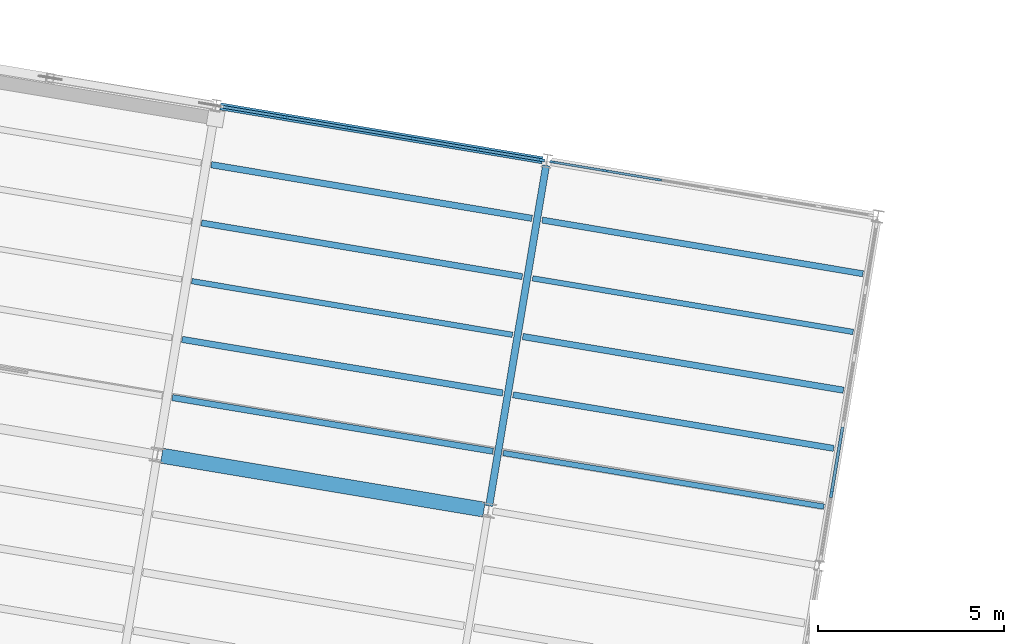
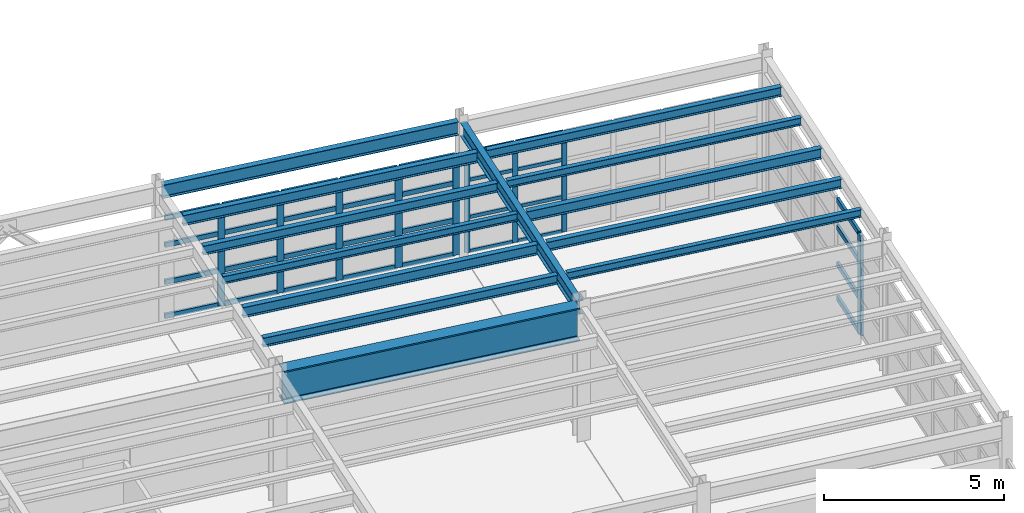
# One storey, part 44 of 102: 41 members, 13 beams, 3 elements without a shape of their own.
"""IFC4 building model written with IfcOpenShell, lengths in metres."""

import ifcopenshell
import ifcopenshell.guid

model = None  # the IFC model being written
_history = None  # IfcOwnerHistory: only IFC2X3 demands one
_inside = {}  # id of a spatial element -> (the spatial element, [elements in it])
_under = {}  # id of a project, library or spatial element -> (it, [spatial elements below it])
_declared = {}  # id of a project -> (the project, [libraries it declares])
_typed = {}  # id of a type object -> (the type object, [elements of that type])
_made_of = {}  # id of a material, layer set ... -> (it, [elements and type objects made of it])


def new_model(schema):
    """Start an empty IFC model of exactly this schema.

    Asked for "IFC4X3", IfcOpenShell would pick the latest addendum, in which some entities
    have other attributes; the version numbers below select the first issue.
    IFC2X3 requires an IfcOwnerHistory on every rooted entity: one is made here for all.
    """
    global model, _history
    if schema == "IFC4X3":
        model = ifcopenshell.file(schema_version=(4, 3, 0, 0))
    else:
        model = ifcopenshell.file(schema=schema)
    _inside.clear()
    _under.clear()
    _declared.clear()
    _typed.clear()
    _made_of.clear()
    _history = None
    if model.schema == "IFC2X3":
        org = make("IfcOrganization", Name="unknown")
        user = make(
            "IfcPersonAndOrganization",
            ThePerson=make("IfcPerson", FamilyName="unknown"),
            TheOrganization=org,
        )
        app = make(
            "IfcApplication",
            ApplicationDeveloper=org,
            Version="unknown",
            ApplicationFullName="unknown",
            ApplicationIdentifier="unknown",
        )
        _history = make(
            "IfcOwnerHistory",
            OwningUser=user,
            OwningApplication=app,
            ChangeAction="ADDED",
            CreationDate=0,
        )
    return model


def make(cls, **values):
    """One entity of the class cls with the attributes given. An attribute that is None is left unset."""
    return model.create_entity(
        cls, **{name: value for name, value in values.items() if value is not None}
    )


def rooted(cls, **values):
    """An entity with a GlobalId (a new one), such as an element, a storey or a relation."""
    return make(cls, GlobalId=ifcopenshell.guid.new(), OwnerHistory=_history, **values)


def si_unit(unit_type, name, prefix=None):
    """IfcSIUnit, for example si_unit("LENGTHUNIT", "METRE", prefix="MILLI")."""
    return make("IfcSIUnit", UnitType=unit_type, Prefix=prefix, Name=name)


def assignment(units):
    """IfcUnitAssignment: the units of a project."""
    return None if units is None else make("IfcUnitAssignment", Units=units)


def point(xyz):
    """IfcCartesianPoint."""
    return None if xyz is None else make("IfcCartesianPoint", Coordinates=xyz)


def direction(xyz):
    """IfcDirection."""
    return None if xyz is None else make("IfcDirection", DirectionRatios=xyz)


def frame(location, z_axis=None, x_axis=None):
    """IfcAxis2Placement3D, a coordinate frame: its origin and axes. An axis left out is left unset."""
    return make(
        "IfcAxis2Placement3D",
        Location=point(location),
        Axis=direction(z_axis),
        RefDirection=direction(x_axis),
    )


def frame_2d(location, x_axis=None):
    """IfcAxis2Placement2D, a coordinate frame in the plane: its origin and x axis."""
    return make(
        "IfcAxis2Placement2D", Location=point(location), RefDirection=direction(x_axis)
    )


def origin():
    """The frame at (0, 0, 0) with its axes left unset."""
    return frame((0.0, 0.0, 0.0))


def origin_2d():
    """The frame at (0, 0) in the plane with its x axis left unset."""
    return frame_2d((0.0, 0.0))


def place(relative_to, where):
    """IfcLocalPlacement: puts the frame where relative to a parent placement (None: the world)."""
    return make(
        "IfcLocalPlacement", PlacementRelTo=relative_to, RelativePlacement=where
    )


def context(
    kind, dimensions, precision=None, world=None, true_north=None, identifier=None
):
    """IfcGeometricRepresentationContext, for example the 3D "Model" context."""
    return make(
        "IfcGeometricRepresentationContext",
        ContextIdentifier=identifier,
        ContextType=kind,
        CoordinateSpaceDimension=dimensions,
        Precision=precision,
        WorldCoordinateSystem=world,
        TrueNorth=true_north,
    )


def subcontext(parent, identifier, kind, view, scale=None):
    """IfcGeometricRepresentationSubContext, for example "Body" below "Model"."""
    return make(
        "IfcGeometricRepresentationSubContext",
        ContextIdentifier=identifier,
        ContextType=kind,
        ParentContext=parent,
        TargetScale=scale,
        TargetView=view,
    )


def project(units=None, contexts=None):
    """IfcProject with its units and contexts."""
    return rooted(
        "IfcProject",
        Name="project",
        RepresentationContexts=contexts,
        UnitsInContext=assignment(units),
    )


def spatial(cls, under=None, at=None, **own):
    """A site, building, storey or space (cls), placed at a placement, below another one or the project."""
    s = rooted(cls, ObjectPlacement=at, **own)
    if under is not None:
        _under.setdefault(under.id(), (under, []))[1].append(s)
    return s


def profile(cls, at=None, kind="AREA", **sizes):
    """A parametric profile (cls). Its sizes go by their IFC names, for example OverallWidth=200.0."""
    return make(cls, ProfileType=kind, Position=at, **sizes)


def rectangle(**sizes):
    """IfcRectangleProfileDef."""
    return profile("IfcRectangleProfileDef", **sizes)


def i_section(**sizes):
    """IfcIShapeProfileDef."""
    return profile("IfcIShapeProfileDef", **sizes)


def extrude(swept, where, along, depth):
    """IfcExtrudedAreaSolid: the profile swept, set in the frame where, extruded along a direction by depth."""
    return make(
        "IfcExtrudedAreaSolid",
        SweptArea=swept,
        Position=where,
        ExtrudedDirection=direction(along),
        Depth=depth,
    )


def shape(context_of_items, identifier, shape_type, items):
    """IfcShapeRepresentation: the items that make up one representation, for example the "Body"."""
    return make(
        "IfcShapeRepresentation",
        ContextOfItems=context_of_items,
        RepresentationIdentifier=identifier,
        RepresentationType=shape_type,
        Items=items,
    )


def material(Name=None, Category=None):
    """IfcMaterial."""
    return make("IfcMaterial", Name=Name, Category=Category)


def layer(
    of_material, thickness, ventilated=None, Name=None, Category=None, Priority=None
):
    """IfcMaterialLayer: one layer of a wall or slab, of a material (None: an air gap)."""
    return make(
        "IfcMaterialLayer",
        Material=of_material,
        LayerThickness=thickness,
        IsVentilated=ventilated,
        Name=Name,
        Category=Category,
        Priority=Priority,
    )


def layer_set(layers, Name=None):
    """IfcMaterialLayerSet."""
    return make("IfcMaterialLayerSet", MaterialLayers=layers, LayerSetName=Name)


def material_profile(
    of_material, cross_section, Name=None, Category=None, Priority=None
):
    """IfcMaterialProfile: a cross section and its material."""
    return make(
        "IfcMaterialProfile",
        Name=Name,
        Material=of_material,
        Profile=cross_section,
        Priority=Priority,
        Category=Category,
    )


def profile_set(profiles, Name=None, composite=None):
    """IfcMaterialProfileSet."""
    return make(
        "IfcMaterialProfileSet",
        Name=Name,
        MaterialProfiles=profiles,
        CompositeProfile=composite,
    )


def made_of(thing, what):
    """Note that an element or type object is made of a material, layer set ...; save() writes the relation."""
    if what is not None:
        _made_of.setdefault(what.id(), (what, []))[1].append(thing)
    return thing


def type_object(cls, material=None, **own):
    """A type object (cls), such as IfcWallType, which elements share."""
    return made_of(rooted(cls, **own), material)


def element(
    cls,
    number,
    at=None,
    inside=None,
    cuts=None,
    type_object=None,
    material=None,
    context=None,
    identifier="Body",
    shape_type=None,
    held_by="IfcProductDefinitionShape",
    body=None,
    shapes=None,
    **own,
):
    """One element of the class cls, such as IfcWall. Its Tag is "e" and its number.

    at: its placement. inside: the storey or other place that contains it. cuts: it is an
    opening in that element (IfcRelVoidsElement). A single representation is given by context,
    identifier, shape_type and body (its items); several are given by shapes. held_by: the class
    of the entity that holds the representations. save() writes the other relations.
    """
    e = rooted(cls, Tag="e%d" % number, ObjectPlacement=at, **own)
    if body is not None:
        shapes = [shape(context, identifier, shape_type, body)]
    if shapes is not None:
        e.Representation = make(held_by, Representations=shapes)
    if inside is not None:
        _inside.setdefault(inside.id(), (inside, []))[1].append(e)
    if cuts is not None:
        rooted(
            "IfcRelVoidsElement", RelatingBuildingElement=cuts, RelatedOpeningElement=e
        )
    if type_object is not None:
        _typed.setdefault(type_object.id(), (type_object, []))[1].append(e)
    return made_of(e, material)


def aggregate(whole, parts):
    """IfcRelAggregates: a whole, such as a stair, and the parts it consists of."""
    return rooted("IfcRelAggregates", RelatingObject=whole, RelatedObjects=parts)


def save(model, path):
    """Write the relations noted so far, then the file.

    IfcRelAggregates (storeys below a building ...), IfcRelContainedInSpatialStructure (elements
    in a storey), IfcRelDefinesByType, IfcRelAssociatesMaterial and IfcRelDeclares: one each for
    every whole, place, type object, material and project.
    """
    for whole, parts in _under.values():
        aggregate(whole, parts)
    for where, things in _inside.values():
        rooted(
            "IfcRelContainedInSpatialStructure",
            RelatedElements=things,
            RelatingStructure=where,
        )
    for kind, things in _typed.values():
        rooted("IfcRelDefinesByType", RelatedObjects=things, RelatingType=kind)
    for what, things in _made_of.values():
        rooted("IfcRelAssociatesMaterial", RelatedObjects=things, RelatingMaterial=what)
    for by, libraries in _declared.values():
        rooted("IfcRelDeclares", RelatingContext=by, RelatedDefinitions=libraries)
    model.write(path)


model = new_model("IFC4")

# Units and contexts
model_context = context("Model", 3, precision=1e-05, world=origin(), true_north=direction((0.0, 1.0)))
body_context = subcontext(model_context, "Body", "Model", "MODEL_VIEW")
ifc_project = project(units=[si_unit("LENGTHUNIT", "METRE"), si_unit("AREAUNIT", "SQUARE_METRE"), si_unit("VOLUMEUNIT", "CUBIC_METRE"), si_unit("PLANEANGLEUNIT", "RADIAN"), si_unit("MASSUNIT", "GRAM", prefix="KILO")], contexts=[model_context])

# Site, building, storey
site_placement = place(None, origin())
site = spatial("IfcSite", under=ifc_project, at=site_placement, CompositionType="ELEMENT")
building_placement = place(site_placement, origin())
building = spatial("IfcBuilding", under=site, at=building_placement, Name="Vireo Bluff Cable Station", CompositionType="ELEMENT")
storey_placement = place(building_placement, frame((0.0, 0.0, 9.60009765625)))
storey = spatial("IfcBuildingStorey", under=building, at=storey_placement, Name="L02", CompositionType="ELEMENT", Elevation=9.60009765625)

# Beam
ifc_material_1 = material(Name="Steel ASTM A992 Gr. 50", Category="steel")
ifc_material_profile_1 = material_profile(ifc_material_1, i_section(OverallWidth=0.19091796875, OverallDepth=0.45703125, WebThickness=0.009033203125, FlangeThickness=0.014404296875, FilletRadius=0.011962890625, at=origin_2d()), Name="W18X50")
ifc_profile_set_1 = profile_set([ifc_material_profile_1], Name="Steel ASTM A992 Gr. 50")
beam_type_1 = type_object("IfcBeamType", Name="BM-W18X50", PredefinedType="BEAM", material=ifc_profile_set_1)
beam_1_placement = place(storey_placement, frame((44.162109375, 84.416015625, 4.3115234375), z_axis=(0.165044536891, 0.986286115102, 0.0), x_axis=(-0.986286115102, 0.165044536891, 0.0)))
element("IfcBeam", 1, at=beam_1_placement, inside=storey, type_object=beam_type_1, Name="V4 L02 beam 1027", PredefinedType="BEAM", context=body_context, shape_type="SweptSolid", body=[
    extrude(i_section(OverallWidth=0.19091796875, OverallDepth=0.45703125, WebThickness=0.009033203125, FlangeThickness=0.014404296875, FilletRadius=0.011962890625, at=origin_2d()), origin(), (0.0, 0.0, 1.0), 9.260009765625),
])

# Curtain wall, members
ifc_material_2 = material(Name="Anodized Aluminium 6063-T6", Category="aluminium")
ifc_layer_1 = layer(ifc_material_2, 0.179931640625, Name="Anodized Aluminium 6063-T6")
ifc_layer_set_1 = layer_set([ifc_layer_1], Name="Anodized Aluminium 6063-T6")
curtain_wall_type_1 = type_object("IfcCurtainWallType", Name="CW-UNIT-1650", PredefinedType="USERDEFINED", material=ifc_layer_set_1)
curtain_wall_1_placement = place(storey_placement, origin())
curtain_wall_1 = element("IfcCurtainWall", 2, at=curtain_wall_1_placement, inside=storey, type_object=curtain_wall_type_1, Name="V4 L02 north curtain wall CW-101", ObjectType="UNITISED CURTAIN WALL", PredefinedType="USERDEFINED")
ifc_material_profile_2 = material_profile(ifc_material_2, rectangle(XDim=0.074951171875, YDim=0.2099609375, at=origin_2d()), Name="ALU-M-75X210")
ifc_profile_set_2 = profile_set([ifc_material_profile_2], Name="Anodized Aluminium 6063-T6")
member_type_1 = type_object("IfcMemberType", Name="CWM-02", PredefinedType="MULLION", material=ifc_profile_set_2)
member_1_placement = place(storey_placement, frame((38.685302734375, 94.843017578125, 0.0), z_axis=(0.0, 0.0, 1.0), x_axis=(0.165047581847, 0.986285605556, 0.0)))
member_1 = element("IfcMember", 3, at=member_1_placement, type_object=member_type_1, Name="CW-101 mullion 2", PredefinedType="MULLION", context=body_context, shape_type="SweptSolid", body=[
    extrude(rectangle(XDim=0.074951171875, YDim=0.2099609375, at=origin_2d()), origin(), (0.0, 0.0, 1.0), 3.39990234375),
])
member_2_placement = place(storey_placement, frame((40.40966796875, 94.554443359375, 0.0), z_axis=(0.0, 0.0, 1.0), x_axis=(0.165047581847, 0.986285605556, 0.0)))
member_2 = element("IfcMember", 4, at=member_2_placement, type_object=member_type_1, Name="CW-101 mullion 3", PredefinedType="MULLION", context=body_context, shape_type="SweptSolid", body=[
    extrude(rectangle(XDim=0.074951171875, YDim=0.2099609375, at=origin_2d()), origin(), (0.0, 0.0, 1.0), 3.39990234375),
])
member_3_placement = place(storey_placement, frame((42.134033203125, 94.265869140625, 0.0), z_axis=(0.0, 0.0, 1.0), x_axis=(0.165047581847, 0.986285605556, 0.0)))
member_3 = element("IfcMember", 5, at=member_3_placement, type_object=member_type_1, Name="CW-101 mullion 4", PredefinedType="MULLION", context=body_context, shape_type="SweptSolid", body=[
    extrude(rectangle(XDim=0.074951171875, YDim=0.2099609375, at=origin_2d()), origin(), (0.0, 0.0, 1.0), 3.39990234375),
])
member_4_placement = place(storey_placement, frame((43.8583984375, 93.977294921875, 0.0), z_axis=(0.0, 0.0, 1.0), x_axis=(0.165047581847, 0.986285605556, 0.0)))
member_4 = element("IfcMember", 6, at=member_4_placement, type_object=member_type_1, Name="CW-101 mullion 5", PredefinedType="MULLION", context=body_context, shape_type="SweptSolid", body=[
    extrude(rectangle(XDim=0.074951171875, YDim=0.2099609375, at=origin_2d()), origin(), (0.0, 0.0, 1.0), 3.39990234375),
])
member_5_placement = place(storey_placement, frame((45.5458984375, 93.69482421875, 0.0), z_axis=(0.0, 0.0, 1.0), x_axis=(0.165047581847, 0.986285605556, 0.0)))
member_5 = element("IfcMember", 7, at=member_5_placement, type_object=member_type_1, Name="CW-101 mullion 6", PredefinedType="MULLION", context=body_context, shape_type="SweptSolid", body=[
    extrude(rectangle(XDim=0.074951171875, YDim=0.2099609375, at=origin_2d()), origin(), (0.0, 0.0, 1.0), 3.39990234375),
])

ifc_layer_2 = layer(ifc_material_2, 0.179931640625, Name="Anodized Aluminium 6063-T6")
ifc_layer_set_2 = layer_set([ifc_layer_2], Name="Anodized Aluminium 6063-T6")
curtain_wall_type_2 = type_object("IfcCurtainWallType", Name="CW-UNIT-1400", PredefinedType="USERDEFINED", material=ifc_layer_set_2)
curtain_wall_2_placement = place(storey_placement, origin())
curtain_wall_2 = element("IfcCurtainWall", 8, at=curtain_wall_2_placement, inside=storey, type_object=curtain_wall_type_2, Name="V4 L02 north curtain wall CW-102", ObjectType="UNITISED CURTAIN WALL", PredefinedType="USERDEFINED")
ifc_material_profile_3 = material_profile(ifc_material_2, rectangle(XDim=0.06005859375, YDim=0.159912109375, at=origin_2d()), Name="ALU-M-60X160")
ifc_profile_set_3 = profile_set([ifc_material_profile_3], Name="Anodized Aluminium 6063-T6")
member_type_2 = type_object("IfcMemberType", Name="CWM-03", PredefinedType="MULLION", material=ifc_profile_set_3)
member_6_placement = place(storey_placement, frame((45.866943359375, 93.64111328125, 0.0), z_axis=(0.0, 0.0, 1.0), x_axis=(0.16504767482, 0.986285589997, 0.0)))
member_6 = element("IfcMember", 9, at=member_6_placement, type_object=member_type_2, Name="CW-102 mullion 1", PredefinedType="MULLION", context=body_context, shape_type="SweptSolid", body=[
    extrude(rectangle(XDim=0.06005859375, YDim=0.159912109375, at=origin_2d()), origin(), (0.0, 0.0, 1.0), 3.39990234375),
])
member_7_placement = place(storey_placement, frame((47.269775390625, 93.406494140625, 0.0), z_axis=(0.0, 0.0, 1.0), x_axis=(0.16504767482, 0.986285589997, 0.0)))
member_7 = element("IfcMember", 10, at=member_7_placement, type_object=member_type_2, Name="CW-102 mullion 2", PredefinedType="MULLION", context=body_context, shape_type="SweptSolid", body=[
    extrude(rectangle(XDim=0.06005859375, YDim=0.159912109375, at=origin_2d()), origin(), (0.0, 0.0, 1.0), 3.39990234375),
])
member_8_placement = place(storey_placement, frame((48.702392578125, 93.166748046875, 0.0), z_axis=(0.0, 0.0, 1.0), x_axis=(0.16504767482, 0.986285589997, 0.0)))
member_8 = element("IfcMember", 11, at=member_8_placement, type_object=member_type_2, Name="CW-102 mullion 3", PredefinedType="MULLION", context=body_context, shape_type="SweptSolid", body=[
    extrude(rectangle(XDim=0.06005859375, YDim=0.159912109375, at=origin_2d()), origin(), (0.0, 0.0, 1.0), 3.39990234375),
])

# Curtain wall, member
ifc_layer_3 = layer(ifc_material_2, 0.159912109375, Name="Anodized Aluminium 6063-T6")
ifc_layer_set_3 = layer_set([ifc_layer_3], Name="Anodized Aluminium 6063-T6")
curtain_wall_type_3 = type_object("IfcCurtainWallType", Name="CW-STICK-1850", PredefinedType="USERDEFINED", material=ifc_layer_set_3)
curtain_wall_3_placement = place(storey_placement, origin())
curtain_wall_3 = element("IfcCurtainWall", 12, at=curtain_wall_3_placement, inside=storey, type_object=curtain_wall_type_3, Name="V4 L02 east curtain wall CW-103", ObjectType="STICK CURTAIN WALL", PredefinedType="USERDEFINED")
ifc_material_profile_4 = material_profile(ifc_material_2, rectangle(XDim=0.080078125, YDim=0.239990234375, at=origin_2d()), Name="ALU-M-80X240")
ifc_profile_set_4 = profile_set([ifc_material_profile_4], Name="Anodized Aluminium 6063-T6")
member_type_3 = type_object("IfcMemberType", Name="CWM-04", PredefinedType="MULLION", material=ifc_profile_set_4)
member_9_placement = place(storey_placement, frame((53.3447265625, 84.759765625, 0.0), z_axis=(0.0, 0.0, 1.0), x_axis=(0.986285596562, -0.165047635589, 0.0)))
member_9 = element("IfcMember", 13, at=member_9_placement, type_object=member_type_3, Name="CW-103 mullion 5", PredefinedType="MULLION", context=body_context, shape_type="SweptSolid", body=[
    extrude(rectangle(XDim=0.080078125, YDim=0.239990234375, at=origin_2d()), origin(), (0.0, 0.0, 1.0), 3.39990234375),
])

# Member
ifc_material_profile_5 = material_profile(ifc_material_2, rectangle(XDim=0.074951171875, YDim=0.159912109375, at=origin_2d()), Name="ALU-T-75X160")
ifc_profile_set_5 = profile_set([ifc_material_profile_5], Name="Anodized Aluminium 6063-T6")
member_type_4 = type_object("IfcMemberType", Name="CWT-02", PredefinedType="USERDEFINED", material=ifc_profile_set_5)
member_10_placement = place(storey_placement, frame((37.03466796875, 95.119140625, 0.037353515625), z_axis=(0.986284807233, -0.165052352368, 0.0), x_axis=(0.165052352368, 0.986284807233, 0.0)))
member_10 = element("IfcMember", 14, at=member_10_placement, type_object=member_type_4, Name="CW-101 transom 1.1", ObjectType="TRANSOM", PredefinedType="USERDEFINED", context=body_context, shape_type="SweptSolid", body=[
    extrude(rectangle(XDim=0.074951171875, YDim=0.159912109375, at=origin_2d()), origin(), (0.0, 0.0, 1.0), 1.635986328125),
])

member_11_placement = place(storey_placement, frame((37.03466796875, 95.119140625, 1.18994140625), z_axis=(0.986284807233, -0.165052352368, 0.0), x_axis=(0.165052352368, 0.986284807233, 0.0)))
member_11 = element("IfcMember", 15, at=member_11_placement, type_object=member_type_4, Name="CW-101 transom 1.2", ObjectType="TRANSOM", PredefinedType="USERDEFINED", context=body_context, shape_type="SweptSolid", body=[
    extrude(rectangle(XDim=0.074951171875, YDim=0.159912109375, at=origin_2d()), origin(), (0.0, 0.0, 1.0), 1.635986328125),
])

member_12_placement = place(storey_placement, frame((37.03466796875, 95.119140625, 2.447998046875), z_axis=(0.986284807233, -0.165052352368, 0.0), x_axis=(0.165052352368, 0.986284807233, 0.0)))
member_12 = element("IfcMember", 16, at=member_12_placement, type_object=member_type_4, Name="CW-101 transom 1.3", ObjectType="TRANSOM", PredefinedType="USERDEFINED", context=body_context, shape_type="SweptSolid", body=[
    extrude(rectangle(XDim=0.074951171875, YDim=0.159912109375, at=origin_2d()), origin(), (0.0, 0.0, 1.0), 1.635986328125),
])

member_13_placement = place(storey_placement, frame((37.03466796875, 95.119140625, 3.3623046875), z_axis=(0.986284807233, -0.165052352368, 0.0), x_axis=(0.165052352368, 0.986284807233, 0.0)))
member_13 = element("IfcMember", 17, at=member_13_placement, type_object=member_type_4, Name="CW-101 transom 1.4", ObjectType="TRANSOM", PredefinedType="USERDEFINED", context=body_context, shape_type="SweptSolid", body=[
    extrude(rectangle(XDim=0.074951171875, YDim=0.159912109375, at=origin_2d()), origin(), (0.0, 0.0, 1.0), 1.635986328125),
])

member_14_placement = place(storey_placement, frame((38.72216796875, 94.8369140625, 0.037353515625), z_axis=(0.98626745162, -0.165156028881, 0.0), x_axis=(0.165156028881, 0.98626745162, 0.0)))
member_14 = element("IfcMember", 18, at=member_14_placement, type_object=member_type_4, Name="CW-101 transom 2.1", ObjectType="TRANSOM", PredefinedType="USERDEFINED", context=body_context, shape_type="SweptSolid", body=[
    extrude(rectangle(XDim=0.074951171875, YDim=0.159912109375, at=origin_2d()), origin(), (0.0, 0.0, 1.0), 1.67333984375),
])

member_15_placement = place(storey_placement, frame((38.72216796875, 94.8369140625, 1.18994140625), z_axis=(0.98626745162, -0.165156028881, 0.0), x_axis=(0.165156028881, 0.98626745162, 0.0)))
member_15 = element("IfcMember", 19, at=member_15_placement, type_object=member_type_4, Name="CW-101 transom 2.2", ObjectType="TRANSOM", PredefinedType="USERDEFINED", context=body_context, shape_type="SweptSolid", body=[
    extrude(rectangle(XDim=0.074951171875, YDim=0.159912109375, at=origin_2d()), origin(), (0.0, 0.0, 1.0), 1.67333984375),
])

member_16_placement = place(storey_placement, frame((38.72216796875, 94.8369140625, 2.447998046875), z_axis=(0.98626745162, -0.165156028881, 0.0), x_axis=(0.165156028881, 0.98626745162, 0.0)))
member_16 = element("IfcMember", 20, at=member_16_placement, type_object=member_type_4, Name="CW-101 transom 2.3", ObjectType="TRANSOM", PredefinedType="USERDEFINED", context=body_context, shape_type="SweptSolid", body=[
    extrude(rectangle(XDim=0.074951171875, YDim=0.159912109375, at=origin_2d()), origin(), (0.0, 0.0, 1.0), 1.67333984375),
])

member_17_placement = place(storey_placement, frame((38.72216796875, 94.8369140625, 3.3623046875), z_axis=(0.98626745162, -0.165156028881, 0.0), x_axis=(0.165156028881, 0.98626745162, 0.0)))
member_17 = element("IfcMember", 21, at=member_17_placement, type_object=member_type_4, Name="CW-101 transom 2.4", ObjectType="TRANSOM", PredefinedType="USERDEFINED", context=body_context, shape_type="SweptSolid", body=[
    extrude(rectangle(XDim=0.074951171875, YDim=0.159912109375, at=origin_2d()), origin(), (0.0, 0.0, 1.0), 1.67333984375),
])

member_18_placement = place(storey_placement, frame((40.446533203125, 94.54833984375, 0.037353515625), z_axis=(0.986271430337, -0.165132267289, 0.0), x_axis=(0.165132267289, 0.986271430337, 0.0)))
member_18 = element("IfcMember", 22, at=member_18_placement, type_object=member_type_4, Name="CW-101 transom 3.1", ObjectType="TRANSOM", PredefinedType="USERDEFINED", context=body_context, shape_type="SweptSolid", body=[
    extrude(rectangle(XDim=0.074951171875, YDim=0.159912109375, at=origin_2d()), origin(), (0.0, 0.0, 1.0), 1.673583984375),
])

member_19_placement = place(storey_placement, frame((40.446533203125, 94.54833984375, 1.18994140625), z_axis=(0.986271430337, -0.165132267289, 0.0), x_axis=(0.165132267289, 0.986271430337, 0.0)))
member_19 = element("IfcMember", 23, at=member_19_placement, type_object=member_type_4, Name="CW-101 transom 3.2", ObjectType="TRANSOM", PredefinedType="USERDEFINED", context=body_context, shape_type="SweptSolid", body=[
    extrude(rectangle(XDim=0.074951171875, YDim=0.159912109375, at=origin_2d()), origin(), (0.0, 0.0, 1.0), 1.673583984375),
])

member_20_placement = place(storey_placement, frame((40.446533203125, 94.54833984375, 2.447998046875), z_axis=(0.986271430337, -0.165132267289, 0.0), x_axis=(0.165132267289, 0.986271430337, 0.0)))
member_20 = element("IfcMember", 24, at=member_20_placement, type_object=member_type_4, Name="CW-101 transom 3.3", ObjectType="TRANSOM", PredefinedType="USERDEFINED", context=body_context, shape_type="SweptSolid", body=[
    extrude(rectangle(XDim=0.074951171875, YDim=0.159912109375, at=origin_2d()), origin(), (0.0, 0.0, 1.0), 1.673583984375),
])

member_21_placement = place(storey_placement, frame((40.446533203125, 94.54833984375, 3.3623046875), z_axis=(0.986271430337, -0.165132267289, 0.0), x_axis=(0.165132267289, 0.986271430337, 0.0)))
member_21 = element("IfcMember", 25, at=member_21_placement, type_object=member_type_4, Name="CW-101 transom 3.4", ObjectType="TRANSOM", PredefinedType="USERDEFINED", context=body_context, shape_type="SweptSolid", body=[
    extrude(rectangle(XDim=0.074951171875, YDim=0.159912109375, at=origin_2d()), origin(), (0.0, 0.0, 1.0), 1.673583984375),
])

member_22_placement = place(storey_placement, frame((42.171142578125, 94.259765625, 0.037353515625), z_axis=(0.98626745162, -0.165156028881, 0.0), x_axis=(0.165156028881, 0.98626745162, 0.0)))
member_22 = element("IfcMember", 26, at=member_22_placement, type_object=member_type_4, Name="CW-101 transom 4.1", ObjectType="TRANSOM", PredefinedType="USERDEFINED", context=body_context, shape_type="SweptSolid", body=[
    extrude(rectangle(XDim=0.074951171875, YDim=0.159912109375, at=origin_2d()), origin(), (0.0, 0.0, 1.0), 1.67333984375),
])

member_23_placement = place(storey_placement, frame((42.171142578125, 94.259765625, 1.18994140625), z_axis=(0.98626745162, -0.165156028881, 0.0), x_axis=(0.165156028881, 0.98626745162, 0.0)))
member_23 = element("IfcMember", 27, at=member_23_placement, type_object=member_type_4, Name="CW-101 transom 4.2", ObjectType="TRANSOM", PredefinedType="USERDEFINED", context=body_context, shape_type="SweptSolid", body=[
    extrude(rectangle(XDim=0.074951171875, YDim=0.159912109375, at=origin_2d()), origin(), (0.0, 0.0, 1.0), 1.67333984375),
])

member_24_placement = place(storey_placement, frame((42.171142578125, 94.259765625, 2.447998046875), z_axis=(0.98626745162, -0.165156028881, 0.0), x_axis=(0.165156028881, 0.98626745162, 0.0)))
member_24 = element("IfcMember", 28, at=member_24_placement, type_object=member_type_4, Name="CW-101 transom 4.3", ObjectType="TRANSOM", PredefinedType="USERDEFINED", context=body_context, shape_type="SweptSolid", body=[
    extrude(rectangle(XDim=0.074951171875, YDim=0.159912109375, at=origin_2d()), origin(), (0.0, 0.0, 1.0), 1.67333984375),
])

member_25_placement = place(storey_placement, frame((42.171142578125, 94.259765625, 3.3623046875), z_axis=(0.98626745162, -0.165156028881, 0.0), x_axis=(0.165156028881, 0.98626745162, 0.0)))
member_25 = element("IfcMember", 29, at=member_25_placement, type_object=member_type_4, Name="CW-101 transom 4.4", ObjectType="TRANSOM", PredefinedType="USERDEFINED", context=body_context, shape_type="SweptSolid", body=[
    extrude(rectangle(XDim=0.074951171875, YDim=0.159912109375, at=origin_2d()), origin(), (0.0, 0.0, 1.0), 1.67333984375),
])

member_26_placement = place(storey_placement, frame((43.8955078125, 93.97119140625, 0.037353515625), z_axis=(0.986284807233, -0.165052352368, 0.0), x_axis=(0.165052352368, 0.986284807233, 0.0)))
member_26 = element("IfcMember", 30, at=member_26_placement, type_object=member_type_4, Name="CW-101 transom 5.1", ObjectType="TRANSOM", PredefinedType="USERDEFINED", context=body_context, shape_type="SweptSolid", body=[
    extrude(rectangle(XDim=0.074951171875, YDim=0.159912109375, at=origin_2d()), origin(), (0.0, 0.0, 1.0), 1.635986328125),
])

member_27_placement = place(storey_placement, frame((43.8955078125, 93.97119140625, 1.18994140625), z_axis=(0.986284807233, -0.165052352368, 0.0), x_axis=(0.165052352368, 0.986284807233, 0.0)))
member_27 = element("IfcMember", 31, at=member_27_placement, type_object=member_type_4, Name="CW-101 transom 5.2", ObjectType="TRANSOM", PredefinedType="USERDEFINED", context=body_context, shape_type="SweptSolid", body=[
    extrude(rectangle(XDim=0.074951171875, YDim=0.159912109375, at=origin_2d()), origin(), (0.0, 0.0, 1.0), 1.635986328125),
])

member_28_placement = place(storey_placement, frame((43.8955078125, 93.97119140625, 2.447998046875), z_axis=(0.986284807233, -0.165052352368, 0.0), x_axis=(0.165052352368, 0.986284807233, 0.0)))
member_28 = element("IfcMember", 32, at=member_28_placement, type_object=member_type_4, Name="CW-101 transom 5.3", ObjectType="TRANSOM", PredefinedType="USERDEFINED", context=body_context, shape_type="SweptSolid", body=[
    extrude(rectangle(XDim=0.074951171875, YDim=0.159912109375, at=origin_2d()), origin(), (0.0, 0.0, 1.0), 1.635986328125),
])

member_29_placement = place(storey_placement, frame((43.8955078125, 93.97119140625, 3.3623046875), z_axis=(0.986284807233, -0.165052352368, 0.0), x_axis=(0.165052352368, 0.986284807233, 0.0)))
member_29 = element("IfcMember", 33, at=member_29_placement, type_object=member_type_4, Name="CW-101 transom 5.4", ObjectType="TRANSOM", PredefinedType="USERDEFINED", context=body_context, shape_type="SweptSolid", body=[
    extrude(rectangle(XDim=0.074951171875, YDim=0.159912109375, at=origin_2d()), origin(), (0.0, 0.0, 1.0), 1.635986328125),
])

aggregate(curtain_wall_1, [member_1, member_2, member_3, member_4, member_5, member_10, member_11, member_12, member_13, member_14, member_15, member_16, member_17, member_18, member_19, member_20, member_21, member_22, member_23, member_24, member_25, member_26, member_27, member_28, member_29])

ifc_material_profile_6 = material_profile(ifc_material_2, rectangle(XDim=0.06005859375, YDim=0.1201171875, at=origin_2d()), Name="ALU-T-60X120")
ifc_profile_set_6 = profile_set([ifc_material_profile_6], Name="Anodized Aluminium 6063-T6")
member_type_5 = type_object("IfcMemberType", Name="CWT-03", PredefinedType="USERDEFINED", material=ifc_profile_set_6)
member_30_placement = place(storey_placement, frame((45.896484375, 93.63623046875, 0.02978515625), z_axis=(0.986287168518, -0.16503824168, 0.0), x_axis=(0.16503824168, 0.986287168518, 0.0)))
member_30 = element("IfcMember", 34, at=member_30_placement, type_object=member_type_5, Name="CW-102 transom 1.1", ObjectType="TRANSOM", PredefinedType="USERDEFINED", context=body_context, shape_type="SweptSolid", body=[
    extrude(rectangle(XDim=0.06005859375, YDim=0.1201171875, at=origin_2d()), origin(), (0.0, 0.0, 1.0), 1.362548828125),
])

member_31_placement = place(storey_placement, frame((45.896484375, 93.63623046875, 1.18994140625), z_axis=(0.986287168518, -0.16503824168, 0.0), x_axis=(0.16503824168, 0.986287168518, 0.0)))
member_31 = element("IfcMember", 35, at=member_31_placement, type_object=member_type_5, Name="CW-102 transom 1.2", ObjectType="TRANSOM", PredefinedType="USERDEFINED", context=body_context, shape_type="SweptSolid", body=[
    extrude(rectangle(XDim=0.06005859375, YDim=0.1201171875, at=origin_2d()), origin(), (0.0, 0.0, 1.0), 1.362548828125),
])

member_32_placement = place(storey_placement, frame((45.896484375, 93.63623046875, 2.447998046875), z_axis=(0.986287168518, -0.16503824168, 0.0), x_axis=(0.16503824168, 0.986287168518, 0.0)))
member_32 = element("IfcMember", 36, at=member_32_placement, type_object=member_type_5, Name="CW-102 transom 1.3", ObjectType="TRANSOM", PredefinedType="USERDEFINED", context=body_context, shape_type="SweptSolid", body=[
    extrude(rectangle(XDim=0.06005859375, YDim=0.1201171875, at=origin_2d()), origin(), (0.0, 0.0, 1.0), 1.362548828125),
])

member_33_placement = place(storey_placement, frame((45.896484375, 93.63623046875, 3.369873046875), z_axis=(0.986287168518, -0.16503824168, 0.0), x_axis=(0.16503824168, 0.986287168518, 0.0)))
member_33 = element("IfcMember", 37, at=member_33_placement, type_object=member_type_5, Name="CW-102 transom 1.4", ObjectType="TRANSOM", PredefinedType="USERDEFINED", context=body_context, shape_type="SweptSolid", body=[
    extrude(rectangle(XDim=0.06005859375, YDim=0.1201171875, at=origin_2d()), origin(), (0.0, 0.0, 1.0), 1.362548828125),
])

member_34_placement = place(storey_placement, frame((47.299560546875, 93.4013671875, 0.02978515625), z_axis=(0.986294225128, -0.164996065039, 0.0), x_axis=(0.164996065039, 0.986294225128, 0.0)))
member_34 = element("IfcMember", 38, at=member_34_placement, type_object=member_type_5, Name="CW-102 transom 2.1", ObjectType="TRANSOM", PredefinedType="USERDEFINED", context=body_context, shape_type="SweptSolid", body=[
    extrude(rectangle(XDim=0.06005859375, YDim=0.1201171875, at=origin_2d()), origin(), (0.0, 0.0, 1.0), 1.392333984375),
])

member_35_placement = place(storey_placement, frame((47.299560546875, 93.4013671875, 1.18994140625), z_axis=(0.986294225128, -0.164996065039, 0.0), x_axis=(0.164996065039, 0.986294225128, 0.0)))
member_35 = element("IfcMember", 39, at=member_35_placement, type_object=member_type_5, Name="CW-102 transom 2.2", ObjectType="TRANSOM", PredefinedType="USERDEFINED", context=body_context, shape_type="SweptSolid", body=[
    extrude(rectangle(XDim=0.06005859375, YDim=0.1201171875, at=origin_2d()), origin(), (0.0, 0.0, 1.0), 1.392333984375),
])

member_36_placement = place(storey_placement, frame((47.299560546875, 93.4013671875, 2.447998046875), z_axis=(0.986294225128, -0.164996065039, 0.0), x_axis=(0.164996065039, 0.986294225128, 0.0)))
member_36 = element("IfcMember", 40, at=member_36_placement, type_object=member_type_5, Name="CW-102 transom 2.3", ObjectType="TRANSOM", PredefinedType="USERDEFINED", context=body_context, shape_type="SweptSolid", body=[
    extrude(rectangle(XDim=0.06005859375, YDim=0.1201171875, at=origin_2d()), origin(), (0.0, 0.0, 1.0), 1.392333984375),
])

member_37_placement = place(storey_placement, frame((47.299560546875, 93.4013671875, 3.369873046875), z_axis=(0.986294225128, -0.164996065039, 0.0), x_axis=(0.164996065039, 0.986294225128, 0.0)))
member_37 = element("IfcMember", 41, at=member_37_placement, type_object=member_type_5, Name="CW-102 transom 2.4", ObjectType="TRANSOM", PredefinedType="USERDEFINED", context=body_context, shape_type="SweptSolid", body=[
    extrude(rectangle(XDim=0.06005859375, YDim=0.1201171875, at=origin_2d()), origin(), (0.0, 0.0, 1.0), 1.392333984375),
])

aggregate(curtain_wall_2, [member_6, member_7, member_8, member_30, member_31, member_32, member_33, member_34, member_35, member_36, member_37])

ifc_material_profile_7 = material_profile(ifc_material_2, rectangle(XDim=0.080078125, YDim=0.175048828125, at=origin_2d()), Name="ALU-T-80X175")
ifc_profile_set_7 = profile_set([ifc_material_profile_7], Name="Anodized Aluminium 6063-T6")
member_type_6 = type_object("IfcMemberType", Name="CWT-04", PredefinedType="USERDEFINED", material=ifc_profile_set_7)
member_38_placement = place(storey_placement, frame((53.641845703125, 86.535400390625, 0.039794921875), z_axis=(-0.16502863381, -0.986288776182, 0.0), x_axis=(0.986288776182, -0.16502863381, 0.0)))
member_38 = element("IfcMember", 42, at=member_38_placement, type_object=member_type_6, Name="CW-103 transom 4.1", ObjectType="TRANSOM", PredefinedType="USERDEFINED", context=body_context, shape_type="SweptSolid", body=[
    extrude(rectangle(XDim=0.080078125, YDim=0.175048828125, at=origin_2d()), origin(), (0.0, 0.0, 1.0), 1.760498046875),
])

member_39_placement = place(storey_placement, frame((53.641845703125, 86.535400390625, 1.18994140625), z_axis=(-0.16502863381, -0.986288776182, 0.0), x_axis=(0.986288776182, -0.16502863381, 0.0)))
member_39 = element("IfcMember", 43, at=member_39_placement, type_object=member_type_6, Name="CW-103 transom 4.2", ObjectType="TRANSOM", PredefinedType="USERDEFINED", context=body_context, shape_type="SweptSolid", body=[
    extrude(rectangle(XDim=0.080078125, YDim=0.175048828125, at=origin_2d()), origin(), (0.0, 0.0, 1.0), 1.760498046875),
])

member_40_placement = place(storey_placement, frame((53.641845703125, 86.535400390625, 2.447998046875), z_axis=(-0.16502863381, -0.986288776182, 0.0), x_axis=(0.986288776182, -0.16502863381, 0.0)))
member_40 = element("IfcMember", 44, at=member_40_placement, type_object=member_type_6, Name="CW-103 transom 4.3", ObjectType="TRANSOM", PredefinedType="USERDEFINED", context=body_context, shape_type="SweptSolid", body=[
    extrude(rectangle(XDim=0.080078125, YDim=0.175048828125, at=origin_2d()), origin(), (0.0, 0.0, 1.0), 1.760498046875),
])

member_41_placement = place(storey_placement, frame((53.641845703125, 86.535400390625, 3.35986328125), z_axis=(-0.16502863381, -0.986288776182, 0.0), x_axis=(0.986288776182, -0.16502863381, 0.0)))
member_41 = element("IfcMember", 45, at=member_41_placement, type_object=member_type_6, Name="CW-103 transom 4.4", ObjectType="TRANSOM", PredefinedType="USERDEFINED", context=body_context, shape_type="SweptSolid", body=[
    extrude(rectangle(XDim=0.080078125, YDim=0.175048828125, at=origin_2d()), origin(), (0.0, 0.0, 1.0), 1.760498046875),
])

aggregate(curtain_wall_3, [member_9, member_38, member_39, member_40, member_41])

# Beams
ifc_material_profile_8 = material_profile(ifc_material_1, i_section(OverallWidth=0.404052734375, OverallDepth=1.117919921875, WebThickness=0.026123046875, FlangeThickness=0.044921875, FilletRadius=0.02197265625, at=origin_2d()), Name="W44X335")
ifc_profile_set_8 = profile_set([ifc_material_profile_8], Name="Steel ASTM A992 Gr. 50")
beam_type_2 = type_object("IfcBeamType", Name="GIR-W44X335", PredefinedType="USERDEFINED", material=ifc_profile_set_8)
beam_2_placement = place(storey_placement, frame((35.384033203125, 85.763427734375, 3.98095703125), z_axis=(0.986285998922, -0.165045231163, 0.0), x_axis=(0.165045231163, 0.986285998922, 0.0)))
element("IfcBeam", 46, at=beam_2_placement, inside=storey, type_object=beam_type_2, Name="V4 L02 girder 1022", ObjectType="GIRDER", PredefinedType="USERDEFINED", context=body_context, shape_type="SweptSolid", body=[
    extrude(i_section(OverallWidth=0.404052734375, OverallDepth=1.117919921875, WebThickness=0.026123046875, FlangeThickness=0.044921875, FilletRadius=0.02197265625, at=origin_2d()), origin(), (0.0, 0.0, 1.0), 8.760009765625),
])
ifc_material_profile_9 = material_profile(ifc_material_1, i_section(OverallWidth=0.14599609375, OverallDepth=0.259033203125, WebThickness=0.006103515625, FlangeThickness=0.009033203125, FilletRadius=0.009033203125, at=origin_2d()), Name="W10X22")
ifc_profile_set_9 = profile_set([ifc_material_profile_9], Name="Steel ASTM A992 Gr. 50")
beam_type_3 = type_object("IfcBeamType", Name="JST-W10X22", PredefinedType="JOIST", material=ifc_profile_set_9)
beam_3_placement = place(storey_placement, frame((36.187744140625, 90.44482421875, 4.410400390625), z_axis=(0.98628550168, -0.165048202583, 0.0), x_axis=(0.165048202583, 0.98628550168, 0.0)))
element("IfcBeam", 47, at=beam_3_placement, inside=storey, type_object=beam_type_3, Name="V4 L02 composite joist 1035", PredefinedType="JOIST", context=body_context, shape_type="SweptSolid", body=[
    extrude(i_section(OverallWidth=0.14599609375, OverallDepth=0.259033203125, WebThickness=0.006103515625, FlangeThickness=0.009033203125, FilletRadius=0.009033203125, at=origin_2d()), origin(), (0.0, 0.0, 1.0), 8.719970703125),
])
beam_4_placement = place(storey_placement, frame((44.54150390625, 85.836181640625, 4.410400390625), z_axis=(0.986286264339, -0.165043645063, 0.0), x_axis=(0.165043645063, 0.986286264339, 0.0)))
element("IfcBeam", 48, at=beam_4_placement, inside=storey, type_object=beam_type_3, Name="V4 L02 composite joist 1043", PredefinedType="JOIST", context=body_context, shape_type="SweptSolid", body=[
    extrude(i_section(OverallWidth=0.14599609375, OverallDepth=0.259033203125, WebThickness=0.006103515625, FlangeThickness=0.009033203125, FilletRadius=0.009033203125, at=origin_2d()), origin(), (0.0, 0.0, 1.0), 8.72021484375),
])
beam_5_placement = place(storey_placement, frame((45.32568359375, 90.52099609375, 4.410400390625), z_axis=(0.98628550168, -0.165048202583, 0.0), x_axis=(0.165048202583, 0.98628550168, 0.0)))
element("IfcBeam", 49, at=beam_5_placement, inside=storey, type_object=beam_type_3, Name="V4 L02 composite joist 1046", PredefinedType="JOIST", context=body_context, shape_type="SweptSolid", body=[
    extrude(i_section(OverallWidth=0.14599609375, OverallDepth=0.259033203125, WebThickness=0.006103515625, FlangeThickness=0.009033203125, FilletRadius=0.009033203125, at=origin_2d()), origin(), (0.0, 0.0, 1.0), 8.719970703125),
])
ifc_material_profile_10 = material_profile(ifc_material_1, i_section(OverallWidth=0.1650390625, OverallDepth=0.31005859375, WebThickness=0.005859375, FlangeThickness=0.009765625, FilletRadius=0.010009765625, at=origin_2d()), Name="W12X26")
ifc_profile_set_10 = profile_set([ifc_material_profile_10], Name="Steel ASTM A992 Gr. 50")
beam_type_4 = type_object("IfcBeamType", Name="JST-W12X26", PredefinedType="JOIST", material=ifc_profile_set_10)
for number, where, z_axis, x_axis, name in (
    (50, (35.6650390625, 87.321533203125, 4.385009765625), (0.98628550168, -0.165048202583, 0.0), (0.165048202583, 0.98628550168, 0.0), "V4 L02 composite joist 1033"),
    (51, (36.448974609375, 92.006591796875, 4.385009765625), (0.98628550168, -0.165048202583, 0.0), (0.165048202583, 0.98628550168, 0.0), "V4 L02 composite joist 1036"),
    (52, (44.802978515625, 87.39794921875, 4.385009765625), (0.98628550168, -0.165048202583, 0.0), (0.165048202583, 0.98628550168, 0.0), "V4 L02 composite joist 1044"),
    (53, (45.5869140625, 92.082763671875, 4.385009765625), (0.98628550168, -0.165048202583, 0.0), (0.165048202583, 0.98628550168, 0.0), "V4 L02 composite joist 1047"),
):
    element("IfcBeam", number, at=place(storey_placement, frame(where, z_axis=z_axis, x_axis=x_axis)), inside=storey, type_object=beam_type_4, Name=name, PredefinedType="JOIST", context=body_context, shape_type="SweptSolid", body=[
        extrude(i_section(OverallWidth=0.1650390625, OverallDepth=0.31005859375, WebThickness=0.005859375, FlangeThickness=0.009765625, FilletRadius=0.010009765625, at=origin_2d()), origin(), (0.0, 0.0, 1.0), 8.719970703125),
    ])
ifc_material_profile_11 = material_profile(ifc_material_1, i_section(OverallWidth=0.1708984375, OverallDepth=0.35107421875, WebThickness=0.0068359375, FlangeThickness=0.009765625, FilletRadius=0.010009765625, at=origin_2d()), Name="W14X30")
ifc_profile_set_11 = profile_set([ifc_material_profile_11], Name="Steel ASTM A992 Gr. 50")
beam_type_5 = type_object("IfcBeamType", Name="JST-W14X30", PredefinedType="JOIST", material=ifc_profile_set_11)
for number, where, z_axis, x_axis, name in (
    (54, (35.92626953125, 88.88330078125, 4.364501953125), (0.986286264339, -0.165043645063, 0.0), (0.165043645063, 0.986286264339, 0.0), "V4 L02 composite joist 1034"),
    (55, (36.710205078125, 93.568115234375, 4.364501953125), (0.986286264339, -0.165043645063, 0.0), (0.165043645063, 0.986286264339, 0.0), "V4 L02 composite joist 1037"),
):
    element("IfcBeam", number, at=place(storey_placement, frame(where, z_axis=z_axis, x_axis=x_axis)), inside=storey, type_object=beam_type_5, Name=name, PredefinedType="JOIST", context=body_context, shape_type="SweptSolid", body=[
        extrude(i_section(OverallWidth=0.1708984375, OverallDepth=0.35107421875, WebThickness=0.0068359375, FlangeThickness=0.009765625, FilletRadius=0.010009765625, at=origin_2d()), origin(), (0.0, 0.0, 1.0), 8.72021484375),
    ])
beam_6_placement = place(storey_placement, frame((45.064208984375, 88.95947265625, 4.364501953125), z_axis=(0.98628550168, -0.165048202583, 0.0), x_axis=(0.165048202583, 0.98628550168, 0.0)))
element("IfcBeam", 56, at=beam_6_placement, inside=storey, type_object=beam_type_5, Name="V4 L02 composite joist 1045", PredefinedType="JOIST", context=body_context, shape_type="SweptSolid", body=[
    extrude(i_section(OverallWidth=0.1708984375, OverallDepth=0.35107421875, WebThickness=0.0068359375, FlangeThickness=0.009765625, FilletRadius=0.010009765625, at=origin_2d()), origin(), (0.0, 0.0, 1.0), 8.719970703125),
])
ifc_material_profile_12 = material_profile(ifc_material_1, i_section(OverallWidth=0.19091796875, OverallDepth=0.45703125, WebThickness=0.009033203125, FlangeThickness=0.014404296875, FilletRadius=0.011962890625, at=origin_2d()), Name="W18X50")
ifc_profile_set_12 = profile_set([ifc_material_profile_12], Name="Steel ASTM A992 Gr. 50")
beam_type_6 = type_object("IfcBeamType", Name="SPN-W18X50", PredefinedType="SPANDREL", material=ifc_profile_set_12)
beam_7_placement = place(storey_placement, frame((36.951904296875, 95.133056640625, 4.3115234375), z_axis=(0.986285998922, -0.165045231163, 0.0), x_axis=(0.165045231163, 0.986285998922, 0.0)))
element("IfcBeam", 57, at=beam_7_placement, inside=storey, type_object=beam_type_6, Name="V4 L02 spandrel 1024", PredefinedType="SPANDREL", context=body_context, shape_type="SweptSolid", body=[
    extrude(i_section(OverallWidth=0.19091796875, OverallDepth=0.45703125, WebThickness=0.009033203125, FlangeThickness=0.014404296875, FilletRadius=0.011962890625, at=origin_2d()), origin(), (0.0, 0.0, 1.0), 8.760009765625),
])

save(model, "model.ifc")
